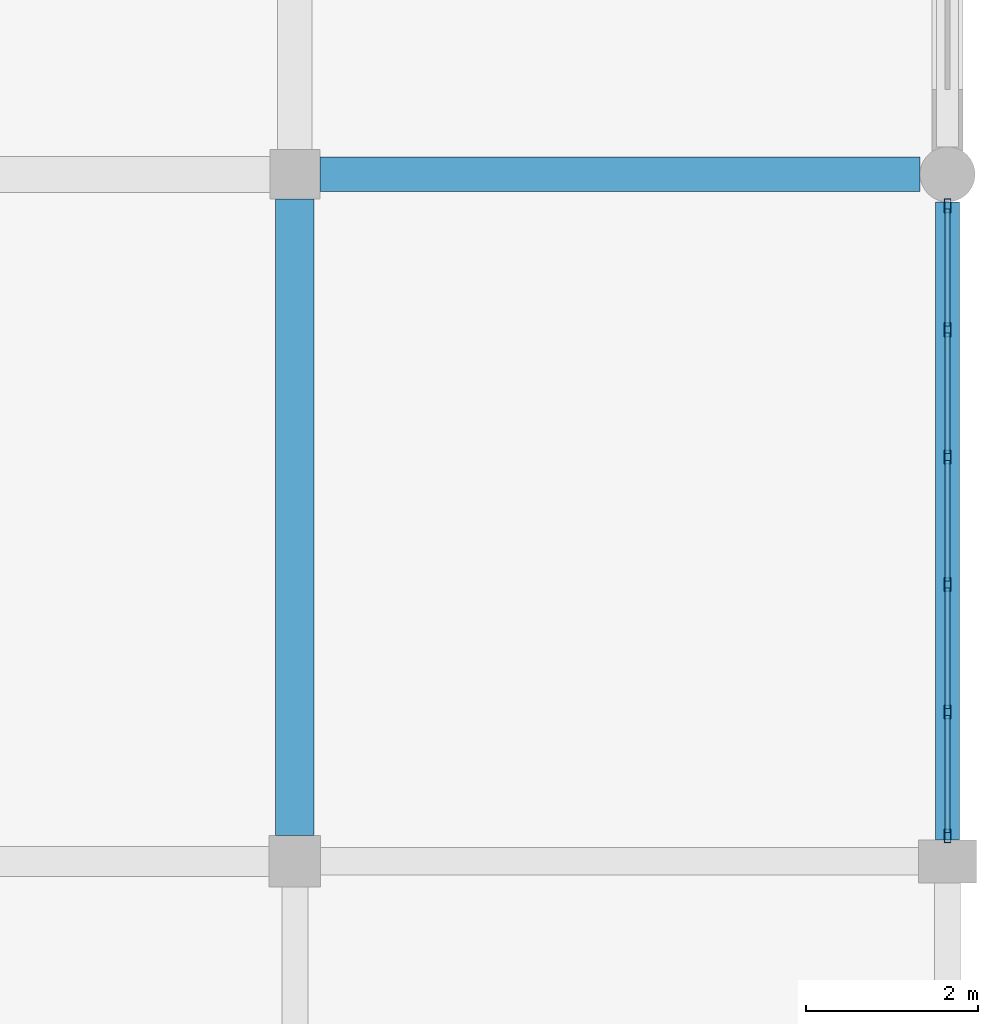
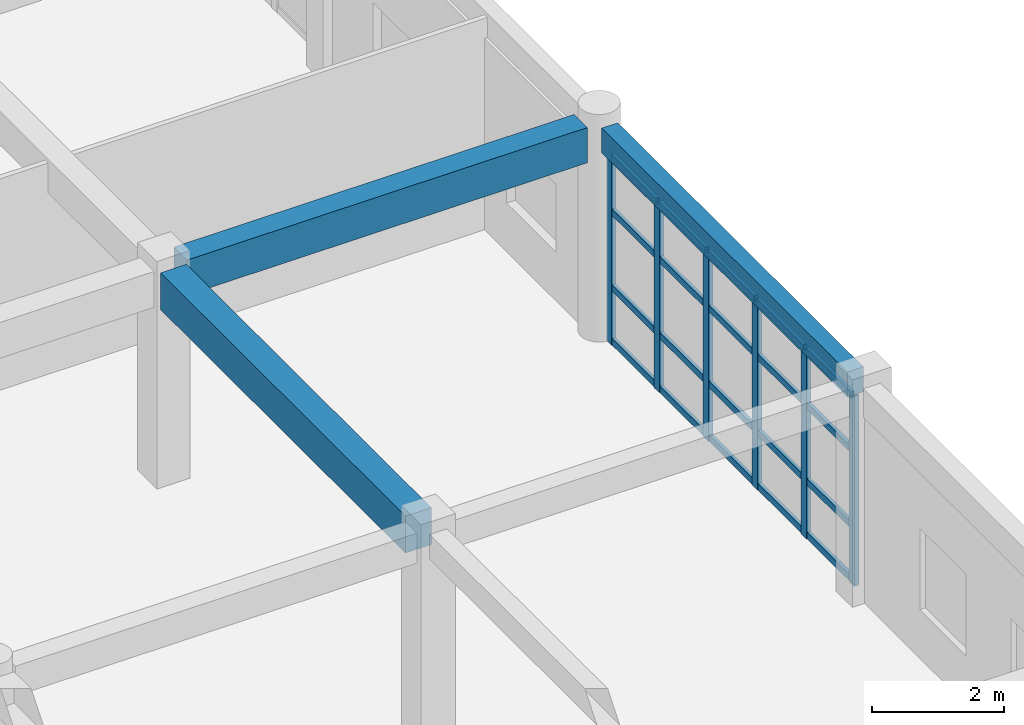
# One storey, part 21 of 53: 26 members, 3 beams, 1 element without a shape of its own.
"""IFC4 building model written with IfcOpenShell, lengths in metres."""

from ifc_helpers import new_model, si_unit, direction, frame, origin, origin_2d, place, context, subcontext, project, spatial, rectangle, hollow_rectangle, extrude, material, material_profile, profile_set, type_object, element, aggregate, save


model = new_model("IFC4")

# Units and contexts
model_context = context("Model", 3, precision=1e-05, world=origin(), true_north=direction((0.0, 1.0)))
body_context = subcontext(model_context, "Body", "Model", "MODEL_VIEW")
ifc_project = project(units=[si_unit("LENGTHUNIT", "METRE"), si_unit("AREAUNIT", "SQUARE_METRE"), si_unit("VOLUMEUNIT", "CUBIC_METRE"), si_unit("PLANEANGLEUNIT", "RADIAN"), si_unit("MASSUNIT", "GRAM", prefix="KILO")], contexts=[model_context])

# Site, building, storey
site_placement = place(None, origin())
site = spatial("IfcSite", under=ifc_project, at=site_placement, CompositionType="ELEMENT")
building_placement = place(site_placement, origin())
building = spatial("IfcBuilding", under=site, at=building_placement, Name="Kharva Crest Polytechnic", CompositionType="ELEMENT")
storey_placement = place(building_placement, frame((0.0, 0.0, 17.39990234375)))
storey = spatial("IfcBuildingStorey", under=building, at=storey_placement, Name="L04", CompositionType="ELEMENT", Elevation=17.39990234375)

# Beams
ifc_material_1 = material(Name="Concrete C35/45", Category="concrete")
ifc_material_profile_1 = material_profile(ifc_material_1, rectangle(XDim=0.39990234375, YDim=0.64990234375, at=origin_2d()), Name="RECT 400 X 650")
ifc_profile_set_1 = profile_set([ifc_material_profile_1], Name="Concrete C35/45")
beam_type_1 = type_object("IfcBeamType", Name="BM-RC-400X650", PredefinedType="BEAM", material=ifc_profile_set_1)
beam_1_placement = place(storey_placement, frame((176.68994140625, 54.800048828125, 3.64501953125), z_axis=(1.0, 0.0, 0.0), x_axis=(0.0, 1.0, 0.0)))
element("IfcBeam", 1, at=beam_1_placement, inside=storey, type_object=beam_type_1, Name="L04 Beam H/23-24", PredefinedType="BEAM", context=body_context, shape_type="SweptSolid", body=[
    extrude(rectangle(XDim=0.39990234375, YDim=0.64990234375, at=origin_2d()), origin(), (0.0, 0.0, 1.0), 6.989990234375),
])
ifc_material_profile_2 = material_profile(ifc_material_1, rectangle(XDim=0.449951171875, YDim=0.679931640625, at=origin_2d()), Name="RECT 450 X 680")
ifc_profile_set_2 = profile_set([ifc_material_profile_2], Name="Concrete C35/45")
beam_type_2 = type_object("IfcBeamType", Name="BM-RC-450X680", PredefinedType="BEAM", material=ifc_profile_set_2)
beam_2_placement = place(storey_placement, frame((176.39990234375, 47.10009765625, 3.630126953125), z_axis=(0.0, 1.0, 0.0), x_axis=(-1.0, 0.0, 0.0)))
element("IfcBeam", 2, at=beam_2_placement, inside=storey, type_object=beam_type_2, Name="L04 Girder 23/G-H", PredefinedType="BEAM", context=body_context, shape_type="SweptSolid", body=[
    extrude(rectangle(XDim=0.449951171875, YDim=0.679931640625, at=origin_2d()), origin(), (0.0, 0.0, 1.0), 7.409912109375),
])

# Curtain wall, members
ifc_material_2 = material(Name="Tempered insulated glass", Category="glass")
curtain_wall_type = type_object("IfcCurtainWallType", Name="CW-SYS-STUDIO", PredefinedType="USERDEFINED", material=ifc_material_2)
curtain_wall_placement = place(storey_placement, origin())
curtain_wall = element("IfcCurtainWall", 3, at=curtain_wall_placement, inside=storey, type_object=curtain_wall_type, Name="L04 Glazed Curtain Wall CW-186", ObjectType="CURTAIN WALL", PredefinedType="USERDEFINED")
ifc_material_3 = material(Name="Steel S355", Category="steel")
ifc_material_profile_3 = material_profile(ifc_material_3, hollow_rectangle(XDim=0.080078125, YDim=0.159912109375, WallThickness=0.0048828125, at=origin_2d()), Name="RHS 160X80X5.0")
ifc_profile_set_3 = profile_set([ifc_material_profile_3], Name="Steel S355")
member_type_1 = type_object("IfcMemberType", Name="CWM-RHS160X80", PredefinedType="MULLION", material=ifc_profile_set_3)
member_1_placement = place(storey_placement, frame((184.0, 47.094970703125, 0.0), z_axis=(0.0, 0.0, 1.0), x_axis=(-1.0, 0.0, 0.0)))
member_1 = element("IfcMember", 4, at=member_1_placement, type_object=member_type_1, Name="CW-186 mullion 1", PredefinedType="MULLION", context=body_context, shape_type="SweptSolid", body=[
    extrude(hollow_rectangle(XDim=0.080078125, YDim=0.159912109375, WallThickness=0.0048828125, at=origin_2d()), origin(), (0.0, 0.0, 1.0), 3.510009765625),
])
member_2_placement = place(storey_placement, frame((184.0, 48.5390625, 0.0), z_axis=(0.0, 0.0, 1.0), x_axis=(-1.0, 0.0, 0.0)))
member_2 = element("IfcMember", 5, at=member_2_placement, type_object=member_type_1, Name="CW-186 mullion 2", PredefinedType="MULLION", context=body_context, shape_type="SweptSolid", body=[
    extrude(hollow_rectangle(XDim=0.080078125, YDim=0.159912109375, WallThickness=0.0048828125, at=origin_2d()), origin(), (0.0, 0.0, 1.0), 3.510009765625),
])
member_3_placement = place(storey_placement, frame((184.0, 50.02294921875, 0.0), z_axis=(0.0, 0.0, 1.0), x_axis=(-1.0, 0.0, 0.0)))
member_3 = element("IfcMember", 6, at=member_3_placement, type_object=member_type_1, Name="CW-186 mullion 3", PredefinedType="MULLION", context=body_context, shape_type="SweptSolid", body=[
    extrude(hollow_rectangle(XDim=0.080078125, YDim=0.159912109375, WallThickness=0.0048828125, at=origin_2d()), origin(), (0.0, 0.0, 1.0), 3.510009765625),
])
member_4_placement = place(storey_placement, frame((184.0, 51.507080078125, 0.0), z_axis=(0.0, 0.0, 1.0), x_axis=(-1.0, 0.0, 0.0)))
member_4 = element("IfcMember", 7, at=member_4_placement, type_object=member_type_1, Name="CW-186 mullion 4", PredefinedType="MULLION", context=body_context, shape_type="SweptSolid", body=[
    extrude(hollow_rectangle(XDim=0.080078125, YDim=0.159912109375, WallThickness=0.0048828125, at=origin_2d()), origin(), (0.0, 0.0, 1.0), 3.510009765625),
])
member_5_placement = place(storey_placement, frame((184.0, 52.990966796875, 0.0), z_axis=(0.0, 0.0, 1.0), x_axis=(-1.0, 0.0, 0.0)))
member_5 = element("IfcMember", 8, at=member_5_placement, type_object=member_type_1, Name="CW-186 mullion 5", PredefinedType="MULLION", context=body_context, shape_type="SweptSolid", body=[
    extrude(hollow_rectangle(XDim=0.080078125, YDim=0.159912109375, WallThickness=0.0048828125, at=origin_2d()), origin(), (0.0, 0.0, 1.0), 3.510009765625),
])
member_6_placement = place(storey_placement, frame((184.0, 54.43505859375, 0.0), z_axis=(0.0, 0.0, 1.0), x_axis=(-1.0, 0.0, 0.0)))
member_6 = element("IfcMember", 9, at=member_6_placement, type_object=member_type_1, Name="CW-186 mullion 6", PredefinedType="MULLION", context=body_context, shape_type="SweptSolid", body=[
    extrude(hollow_rectangle(XDim=0.080078125, YDim=0.159912109375, WallThickness=0.0048828125, at=origin_2d()), origin(), (0.0, 0.0, 1.0), 3.510009765625),
])
ifc_material_profile_4 = material_profile(ifc_material_3, hollow_rectangle(XDim=0.06005859375, YDim=0.1201171875, WallThickness=0.00390625, at=origin_2d()), Name="RHS 120X60X4.0")
ifc_profile_set_4 = profile_set([ifc_material_profile_4], Name="Steel S355")
member_type_2 = type_object("IfcMemberType", Name="CWT-RHS120X60", PredefinedType="USERDEFINED", material=ifc_profile_set_4)
member_7_placement = place(storey_placement, frame((184.0, 47.135009765625, 0.06005859375), z_axis=(0.0, 1.0, 0.0), x_axis=(-1.0, 0.0, 0.0)))
member_7 = element("IfcMember", 10, at=member_7_placement, type_object=member_type_2, Name="CW-186 transom 1.1", ObjectType="TRANSOM", PredefinedType="USERDEFINED", context=body_context, shape_type="SweptSolid", body=[
    extrude(hollow_rectangle(XDim=0.06005859375, YDim=0.1201171875, WallThickness=0.00390625, at=origin_2d()), origin(), (0.0, 0.0, 1.0), 1.364013671875),
])
member_8_placement = place(storey_placement, frame((184.0, 47.135009765625, 1.050048828125), z_axis=(0.0, 1.0, 0.0), x_axis=(-1.0, 0.0, 0.0)))
member_8 = element("IfcMember", 11, at=member_8_placement, type_object=member_type_2, Name="CW-186 transom 1.2", ObjectType="TRANSOM", PredefinedType="USERDEFINED", context=body_context, shape_type="SweptSolid", body=[
    extrude(hollow_rectangle(XDim=0.06005859375, YDim=0.1201171875, WallThickness=0.00390625, at=origin_2d()), origin(), (0.0, 0.0, 1.0), 1.364013671875),
])
member_9_placement = place(storey_placement, frame((184.0, 47.135009765625, 2.4501953125), z_axis=(0.0, 1.0, 0.0), x_axis=(-1.0, 0.0, 0.0)))
member_9 = element("IfcMember", 12, at=member_9_placement, type_object=member_type_2, Name="CW-186 transom 1.3", ObjectType="TRANSOM", PredefinedType="USERDEFINED", context=body_context, shape_type="SweptSolid", body=[
    extrude(hollow_rectangle(XDim=0.06005859375, YDim=0.1201171875, WallThickness=0.00390625, at=origin_2d()), origin(), (0.0, 0.0, 1.0), 1.364013671875),
])
member_10_placement = place(storey_placement, frame((184.0, 47.135009765625, 3.4501953125), z_axis=(0.0, 1.0, 0.0), x_axis=(-1.0, 0.0, 0.0)))
member_10 = element("IfcMember", 13, at=member_10_placement, type_object=member_type_2, Name="CW-186 transom 1.4", ObjectType="TRANSOM", PredefinedType="USERDEFINED", context=body_context, shape_type="SweptSolid", body=[
    extrude(hollow_rectangle(XDim=0.06005859375, YDim=0.1201171875, WallThickness=0.00390625, at=origin_2d()), origin(), (0.0, 0.0, 1.0), 1.364013671875),
])
member_11_placement = place(storey_placement, frame((184.0, 48.5791015625, 0.06005859375), z_axis=(0.0, 1.0, 0.0), x_axis=(-1.0, 0.0, 0.0)))
member_11 = element("IfcMember", 14, at=member_11_placement, type_object=member_type_2, Name="CW-186 transom 2.1", ObjectType="TRANSOM", PredefinedType="USERDEFINED", context=body_context, shape_type="SweptSolid", body=[
    extrude(hollow_rectangle(XDim=0.06005859375, YDim=0.1201171875, WallThickness=0.00390625, at=origin_2d()), origin(), (0.0, 0.0, 1.0), 1.40380859375),
])
member_12_placement = place(storey_placement, frame((184.0, 48.5791015625, 1.050048828125), z_axis=(0.0, 1.0, 0.0), x_axis=(-1.0, 0.0, 0.0)))
member_12 = element("IfcMember", 15, at=member_12_placement, type_object=member_type_2, Name="CW-186 transom 2.2", ObjectType="TRANSOM", PredefinedType="USERDEFINED", context=body_context, shape_type="SweptSolid", body=[
    extrude(hollow_rectangle(XDim=0.06005859375, YDim=0.1201171875, WallThickness=0.00390625, at=origin_2d()), origin(), (0.0, 0.0, 1.0), 1.40380859375),
])
member_13_placement = place(storey_placement, frame((184.0, 48.5791015625, 2.4501953125), z_axis=(0.0, 1.0, 0.0), x_axis=(-1.0, 0.0, 0.0)))
member_13 = element("IfcMember", 16, at=member_13_placement, type_object=member_type_2, Name="CW-186 transom 2.3", ObjectType="TRANSOM", PredefinedType="USERDEFINED", context=body_context, shape_type="SweptSolid", body=[
    extrude(hollow_rectangle(XDim=0.06005859375, YDim=0.1201171875, WallThickness=0.00390625, at=origin_2d()), origin(), (0.0, 0.0, 1.0), 1.40380859375),
])
member_14_placement = place(storey_placement, frame((184.0, 48.5791015625, 3.4501953125), z_axis=(0.0, 1.0, 0.0), x_axis=(-1.0, 0.0, 0.0)))
member_14 = element("IfcMember", 17, at=member_14_placement, type_object=member_type_2, Name="CW-186 transom 2.4", ObjectType="TRANSOM", PredefinedType="USERDEFINED", context=body_context, shape_type="SweptSolid", body=[
    extrude(hollow_rectangle(XDim=0.06005859375, YDim=0.1201171875, WallThickness=0.00390625, at=origin_2d()), origin(), (0.0, 0.0, 1.0), 1.40380859375),
])
member_15_placement = place(storey_placement, frame((184.0, 50.06298828125, 0.06005859375), z_axis=(0.0, 1.0, 0.0), x_axis=(-1.0, 0.0, 0.0)))
member_15 = element("IfcMember", 18, at=member_15_placement, type_object=member_type_2, Name="CW-186 transom 3.1", ObjectType="TRANSOM", PredefinedType="USERDEFINED", context=body_context, shape_type="SweptSolid", body=[
    extrude(hollow_rectangle(XDim=0.06005859375, YDim=0.1201171875, WallThickness=0.00390625, at=origin_2d()), origin(), (0.0, 0.0, 1.0), 1.404052734375),
])
member_16_placement = place(storey_placement, frame((184.0, 50.06298828125, 1.050048828125), z_axis=(0.0, 1.0, 0.0), x_axis=(-1.0, 0.0, 0.0)))
member_16 = element("IfcMember", 19, at=member_16_placement, type_object=member_type_2, Name="CW-186 transom 3.2", ObjectType="TRANSOM", PredefinedType="USERDEFINED", context=body_context, shape_type="SweptSolid", body=[
    extrude(hollow_rectangle(XDim=0.06005859375, YDim=0.1201171875, WallThickness=0.00390625, at=origin_2d()), origin(), (0.0, 0.0, 1.0), 1.404052734375),
])
member_17_placement = place(storey_placement, frame((184.0, 50.06298828125, 2.4501953125), z_axis=(0.0, 1.0, 0.0), x_axis=(-1.0, 0.0, 0.0)))
member_17 = element("IfcMember", 20, at=member_17_placement, type_object=member_type_2, Name="CW-186 transom 3.3", ObjectType="TRANSOM", PredefinedType="USERDEFINED", context=body_context, shape_type="SweptSolid", body=[
    extrude(hollow_rectangle(XDim=0.06005859375, YDim=0.1201171875, WallThickness=0.00390625, at=origin_2d()), origin(), (0.0, 0.0, 1.0), 1.404052734375),
])
member_18_placement = place(storey_placement, frame((184.0, 50.06298828125, 3.4501953125), z_axis=(0.0, 1.0, 0.0), x_axis=(-1.0, 0.0, 0.0)))
member_18 = element("IfcMember", 21, at=member_18_placement, type_object=member_type_2, Name="CW-186 transom 3.4", ObjectType="TRANSOM", PredefinedType="USERDEFINED", context=body_context, shape_type="SweptSolid", body=[
    extrude(hollow_rectangle(XDim=0.06005859375, YDim=0.1201171875, WallThickness=0.00390625, at=origin_2d()), origin(), (0.0, 0.0, 1.0), 1.404052734375),
])
member_19_placement = place(storey_placement, frame((184.0, 51.547119140625, 0.06005859375), z_axis=(0.0, 1.0, 0.0), x_axis=(-1.0, 0.0, 0.0)))
member_19 = element("IfcMember", 22, at=member_19_placement, type_object=member_type_2, Name="CW-186 transom 4.1", ObjectType="TRANSOM", PredefinedType="USERDEFINED", context=body_context, shape_type="SweptSolid", body=[
    extrude(hollow_rectangle(XDim=0.06005859375, YDim=0.1201171875, WallThickness=0.00390625, at=origin_2d()), origin(), (0.0, 0.0, 1.0), 1.40380859375),
])
member_20_placement = place(storey_placement, frame((184.0, 51.547119140625, 1.050048828125), z_axis=(0.0, 1.0, 0.0), x_axis=(-1.0, 0.0, 0.0)))
member_20 = element("IfcMember", 23, at=member_20_placement, type_object=member_type_2, Name="CW-186 transom 4.2", ObjectType="TRANSOM", PredefinedType="USERDEFINED", context=body_context, shape_type="SweptSolid", body=[
    extrude(hollow_rectangle(XDim=0.06005859375, YDim=0.1201171875, WallThickness=0.00390625, at=origin_2d()), origin(), (0.0, 0.0, 1.0), 1.40380859375),
])
member_21_placement = place(storey_placement, frame((184.0, 51.547119140625, 2.4501953125), z_axis=(0.0, 1.0, 0.0), x_axis=(-1.0, 0.0, 0.0)))
member_21 = element("IfcMember", 24, at=member_21_placement, type_object=member_type_2, Name="CW-186 transom 4.3", ObjectType="TRANSOM", PredefinedType="USERDEFINED", context=body_context, shape_type="SweptSolid", body=[
    extrude(hollow_rectangle(XDim=0.06005859375, YDim=0.1201171875, WallThickness=0.00390625, at=origin_2d()), origin(), (0.0, 0.0, 1.0), 1.40380859375),
])
member_22_placement = place(storey_placement, frame((184.0, 51.547119140625, 3.4501953125), z_axis=(0.0, 1.0, 0.0), x_axis=(-1.0, 0.0, 0.0)))
member_22 = element("IfcMember", 25, at=member_22_placement, type_object=member_type_2, Name="CW-186 transom 4.4", ObjectType="TRANSOM", PredefinedType="USERDEFINED", context=body_context, shape_type="SweptSolid", body=[
    extrude(hollow_rectangle(XDim=0.06005859375, YDim=0.1201171875, WallThickness=0.00390625, at=origin_2d()), origin(), (0.0, 0.0, 1.0), 1.40380859375),
])
member_23_placement = place(storey_placement, frame((184.0, 53.031005859375, 0.06005859375), z_axis=(0.0, 1.0, 0.0), x_axis=(-1.0, 0.0, 0.0)))
member_23 = element("IfcMember", 26, at=member_23_placement, type_object=member_type_2, Name="CW-186 transom 5.1", ObjectType="TRANSOM", PredefinedType="USERDEFINED", context=body_context, shape_type="SweptSolid", body=[
    extrude(hollow_rectangle(XDim=0.06005859375, YDim=0.1201171875, WallThickness=0.00390625, at=origin_2d()), origin(), (0.0, 0.0, 1.0), 1.364013671875),
])
member_24_placement = place(storey_placement, frame((184.0, 53.031005859375, 1.050048828125), z_axis=(0.0, 1.0, 0.0), x_axis=(-1.0, 0.0, 0.0)))
member_24 = element("IfcMember", 27, at=member_24_placement, type_object=member_type_2, Name="CW-186 transom 5.2", ObjectType="TRANSOM", PredefinedType="USERDEFINED", context=body_context, shape_type="SweptSolid", body=[
    extrude(hollow_rectangle(XDim=0.06005859375, YDim=0.1201171875, WallThickness=0.00390625, at=origin_2d()), origin(), (0.0, 0.0, 1.0), 1.364013671875),
])
member_25_placement = place(storey_placement, frame((184.0, 53.031005859375, 2.4501953125), z_axis=(0.0, 1.0, 0.0), x_axis=(-1.0, 0.0, 0.0)))
member_25 = element("IfcMember", 28, at=member_25_placement, type_object=member_type_2, Name="CW-186 transom 5.3", ObjectType="TRANSOM", PredefinedType="USERDEFINED", context=body_context, shape_type="SweptSolid", body=[
    extrude(hollow_rectangle(XDim=0.06005859375, YDim=0.1201171875, WallThickness=0.00390625, at=origin_2d()), origin(), (0.0, 0.0, 1.0), 1.364013671875),
])
member_26_placement = place(storey_placement, frame((184.0, 53.031005859375, 3.4501953125), z_axis=(0.0, 1.0, 0.0), x_axis=(-1.0, 0.0, 0.0)))
member_26 = element("IfcMember", 29, at=member_26_placement, type_object=member_type_2, Name="CW-186 transom 5.4", ObjectType="TRANSOM", PredefinedType="USERDEFINED", context=body_context, shape_type="SweptSolid", body=[
    extrude(hollow_rectangle(XDim=0.06005859375, YDim=0.1201171875, WallThickness=0.00390625, at=origin_2d()), origin(), (0.0, 0.0, 1.0), 1.364013671875),
])
aggregate(curtain_wall, [member_1, member_2, member_3, member_4, member_5, member_6, member_7, member_8, member_9, member_10, member_11, member_12, member_13, member_14, member_15, member_16, member_17, member_18, member_19, member_20, member_21, member_22, member_23, member_24, member_25, member_26])

# Beam
ifc_material_profile_5 = material_profile(ifc_material_1, rectangle(XDim=0.280029296875, YDim=0.4599609375, at=origin_2d()), Name="RECT 280 X 460")
ifc_profile_set_5 = profile_set([ifc_material_profile_5], Name="Concrete C35/45")
beam_type_3 = type_object("IfcBeamType", Name="SP-RC-280X460", PredefinedType="SPANDREL", material=ifc_profile_set_5)
beam_3_placement = place(storey_placement, frame((184.0, 47.050048828125, 3.739990234375), z_axis=(0.0, 1.0, 0.0), x_axis=(-1.0, 0.0, 0.0)))
element("IfcBeam", 30, at=beam_3_placement, inside=storey, type_object=beam_type_3, Name="L04 Girder 24/G-H", PredefinedType="SPANDREL", context=body_context, shape_type="SweptSolid", body=[
    extrude(rectangle(XDim=0.280029296875, YDim=0.4599609375, at=origin_2d()), origin(), (0.0, 0.0, 1.0), 7.429931640625),
])

save(model, "model.ifc")
